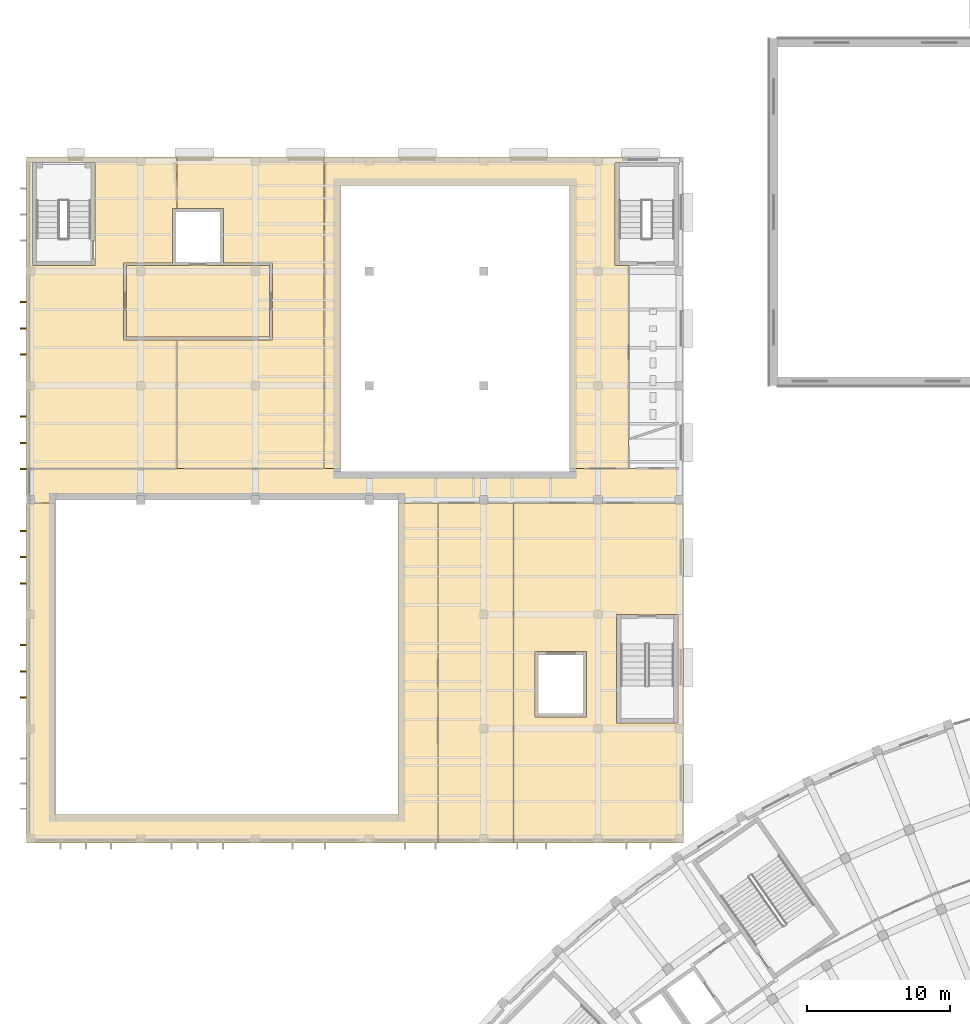
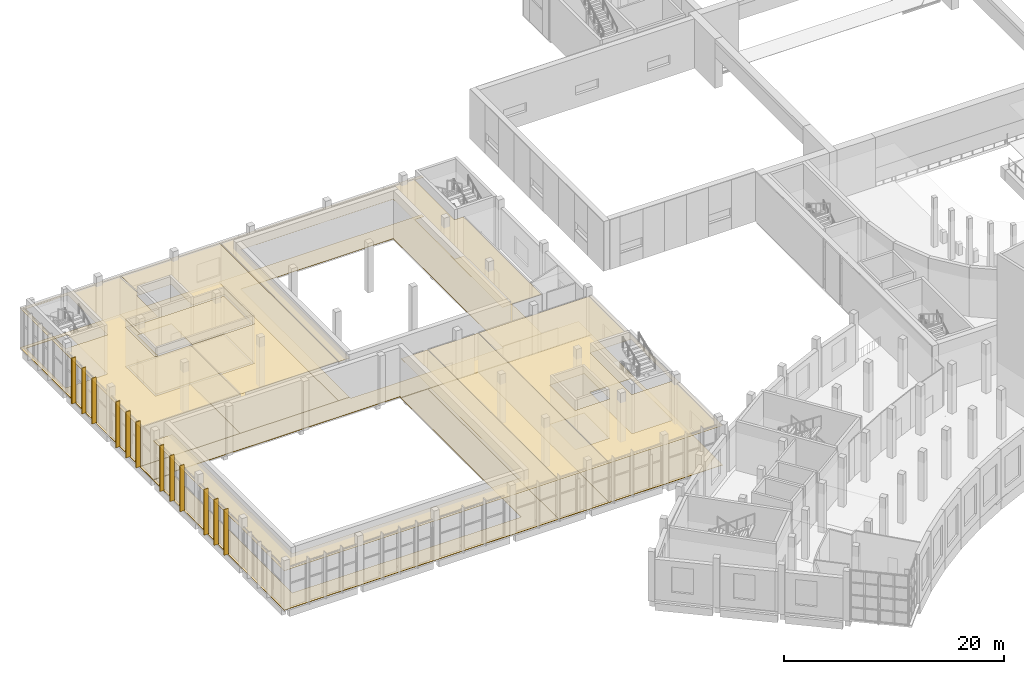
# One storey, part 62 of 87: 15 coverings, 12 shading devices.
"""IFC4 building model written with IfcOpenShell, lengths in metres."""

from ifc_helpers import new_model, si_unit, direction, frame, origin, origin_2d, place, context, subcontext, project, spatial, polyline, rectangle, outline, extrude, material, layer, layer_set, type_object, element, save


model = new_model("IFC4")

# Units and contexts
model_context = context("Model", 3, precision=1e-05, world=origin(), true_north=direction((0.0, 1.0)))
body_context = subcontext(model_context, "Body", "Model", "MODEL_VIEW")
ifc_project = project(units=[si_unit("LENGTHUNIT", "METRE"), si_unit("AREAUNIT", "SQUARE_METRE"), si_unit("VOLUMEUNIT", "CUBIC_METRE"), si_unit("PLANEANGLEUNIT", "RADIAN"), si_unit("MASSUNIT", "GRAM", prefix="KILO")], contexts=[model_context])

# Site, building, storey
site_placement = place(None, origin())
site = spatial("IfcSite", under=ifc_project, at=site_placement, CompositionType="ELEMENT")
building_placement = place(site_placement, origin())
building = spatial("IfcBuilding", under=site, at=building_placement, Name="Lunette Opera House", CompositionType="ELEMENT")
storey_placement = place(building_placement, frame((0.0, 0.0, 11.5)))
storey = spatial("IfcBuildingStorey", under=building, at=storey_placement, Name="L02", CompositionType="ELEMENT", Elevation=11.5)

# Covering
ifc_material_1 = material(Name="Cement screed")
ifc_layer_1 = layer(ifc_material_1, 0.070068359375)
ifc_layer_set_1 = layer_set([ifc_layer_1], Name="Cement screed")
covering_type_1 = type_object("IfcCoveringType", Name="SCREED FLOOR FINISH 70", PredefinedType="FLOORING", material=ifc_layer_set_1)
covering_1_placement = place(storey_placement, origin())
element("IfcCovering", 1, at=covering_1_placement, inside=storey, type_object=covering_type_1, Name="Floor finish Corridor L02 Rehearsal", PredefinedType="FLOORING", context=body_context, shape_type="SweptSolid", body=[
    extrude(outline(polyline([(8.0, 90.199951171875), (30.0, 90.199951171875), (30.0, 90.0), (46.0, 90.0), (46.0, 90.199951171875), (54.0, 90.199951171875), (54.0, 87.800048828125), (34.0, 87.800048828125), (34.0, 88.0), (10.0, 88.0), (10.0, 87.800048828125), (8.0, 87.800048828125), (8.0, 90.199951171875)])), origin(), (0.0, 0.0, 1.0), 0.070068359375),
])

# Shading devices
ifc_material_2 = material(Name="Powder-coated aluminium", Category="aluminium")
shading_device_type = type_object("IfcShadingDeviceType", Name="SOLAR FIN 100 X 450", PredefinedType="USERDEFINED", material=ifc_material_2)
for number, where, z_axis, x_axis, name in (
    (2, (7.76708984375, 101.85498046875, 0.115478515625), (0.0, 0.0, 1.0), (-1.0, 0.0, 0.0), "Solar fin RW-X2030 1"),
    (3, (7.76708984375, 100.012939453125, 0.115478515625), (0.0, 0.0, 1.0), (-1.0, 0.0, 0.0), "Solar fin RW-X2030 2"),
    (4, (7.76708984375, 98.1708984375, 0.115478515625), (0.0, 0.0, 1.0), (-1.0, 0.0, 0.0), "Solar fin RW-X2030 3"),
    (5, (7.76708984375, 93.8349609375, 0.115478515625), (0.0, 0.0, 1.0), (-1.0, 0.0, 0.0), "Solar fin RW-X2031 1"),
    (6, (7.76708984375, 92.0, 0.115478515625), (0.0, 0.0, 1.0), (-1.0, 0.0, 0.0), "Solar fin RW-X2031 2"),
    (7, (7.76708984375, 90.1650390625, 0.115478515625), (0.0, 0.0, 1.0), (-1.0, 0.0, 0.0), "Solar fin RW-X2031 3"),
    (8, (7.76708984375, 85.8349609375, 0.115478515625), (0.0, 0.0, 1.0), (-1.0, 0.0, 0.0), "Solar fin RW-X2032 1"),
    (9, (7.76708984375, 84.0, 0.115478515625), (0.0, 0.0, 1.0), (-1.0, 0.0, 0.0), "Solar fin RW-X2032 2"),
    (10, (7.76708984375, 82.1650390625, 0.115478515625), (0.0, 0.0, 1.0), (-1.0, 0.0, 0.0), "Solar fin RW-X2032 3"),
    (11, (7.76708984375, 77.8349609375, 0.115478515625), (0.0, 0.0, 1.0), (-1.0, 0.0, 0.0), "Solar fin RW-X2033 1"),
    (12, (7.76708984375, 76.0, 0.115478515625), (0.0, 0.0, 1.0), (-1.0, 0.0, 0.0), "Solar fin RW-X2033 2"),
    (13, (7.76708984375, 74.1650390625, 0.115478515625), (0.0, 0.0, 1.0), (-1.0, 0.0, 0.0), "Solar fin RW-X2033 3"),
):
    element("IfcShadingDevice", number, at=place(storey_placement, frame(where, z_axis=z_axis, x_axis=x_axis)), inside=storey, type_object=shading_device_type, Name=name, ObjectType="SOLAR FIN", PredefinedType="USERDEFINED", context=body_context, shape_type="SweptSolid", body=[
        extrude(rectangle(XDim=0.449951171875, YDim=0.10009765625, at=origin_2d()), origin(), (0.0, 0.0, 1.0), 5.0849609375),
    ])

# Coverings
ifc_material_3 = material(Name="Mineral fibre board")
ifc_layer_2 = layer(ifc_material_3, 0.014892578125)
ifc_layer_set_2 = layer_set([ifc_layer_2], Name="Mineral fibre board")
covering_type_2 = type_object("IfcCoveringType", Name="SUSPENDED ACOUSTIC CEILING 15", PredefinedType="CEILING", material=ifc_layer_set_2)
covering_2_placement = place(storey_placement, frame((0.0, 0.0, 4.385009765625)))
element("IfcCovering", 14, at=covering_2_placement, inside=storey, type_object=covering_type_2, Name="Ceiling Lift Lobby L02 Rehearsal", PredefinedType="CEILING", context=body_context, shape_type="SweptSolid", body=[
    extrude(outline(polyline([(25.0, 99.39990234375), (25.0, 104.39990234375), (15.0, 104.39990234375), (15.0, 99.39990234375), (25.0, 99.39990234375)])), origin(), (0.0, 0.0, 1.0), 0.014892578125),
])
covering_3_placement = place(storey_placement, frame((0.0, 0.0, 4.385009765625)))
element("IfcCovering", 15, at=covering_3_placement, inside=storey, type_object=covering_type_2, Name="Ceiling Orchestra Rehearsal Gallery", PredefinedType="CEILING", context=body_context, shape_type="SweptSolid", body=[
    extrude(outline(polyline([(8.0, 90.199951171875), (8.0, 112.0), (18.52392578125, 112.0), (18.52392578125, 108.39990234375), (18.199951171875, 108.39990234375), (18.199951171875, 104.60009765625), (14.800048828125, 104.60009765625), (14.800048828125, 99.199951171875), (18.52392578125, 99.199951171875), (18.52392578125, 90.199951171875), (8.0, 90.199951171875)]), holes=[polyline([(8.39990234375, 111.635009765625), (8.39990234375, 104.39990234375), (12.800048828125, 104.39990234375), (12.800048828125, 111.635009765625), (8.39990234375, 111.635009765625)])]), origin(), (0.0, 0.0, 1.0), 0.014892578125),
])
covering_4_placement = place(storey_placement, frame((0.0, 0.0, 4.385009765625)))
element("IfcCovering", 16, at=covering_4_placement, inside=storey, type_object=covering_type_2, Name="Ceiling Soloists' Studio", PredefinedType="CEILING", context=body_context, shape_type="SweptSolid", body=[
    extrude(outline(polyline([(18.52392578125, 90.199951171875), (18.52392578125, 99.199951171875), (25.199951171875, 99.199951171875), (25.199951171875, 104.60009765625), (21.800048828125, 104.60009765625), (21.800048828125, 108.39990234375), (18.52392578125, 108.39990234375), (18.52392578125, 112.0), (28.833984375, 112.0), (28.833984375, 90.199951171875), (18.52392578125, 90.199951171875)])), origin(), (0.0, 0.0, 1.0), 0.014892578125),
])
covering_5_placement = place(storey_placement, frame((0.0, 0.0, 4.385009765625)))
element("IfcCovering", 17, at=covering_5_placement, inside=storey, type_object=covering_type_2, Name="Ceiling Dance Wardrobe", PredefinedType="CEILING", context=body_context, shape_type="SweptSolid", body=[
    extrude(outline(polyline([(30.0, 90.199951171875), (28.833984375, 90.199951171875), (28.833984375, 112.0), (50.14892578125, 112.0), (50.14892578125, 111.635009765625), (49.199951171875, 111.635009765625), (49.199951171875, 104.39990234375), (50.14892578125, 104.39990234375), (50.14892578125, 90.199951171875), (46.0, 90.199951171875), (46.0, 110.0), (30.0, 110.0), (30.0, 90.199951171875)])), origin(), (0.0, 0.0, 1.0), 0.014892578125),
])
covering_6_placement = place(storey_placement, frame((0.0, 0.0, 4.385009765625)))
element("IfcCovering", 18, at=covering_6_placement, inside=storey, type_object=covering_type_2, Name="Ceiling Chorus Rehearsal Room 2", PredefinedType="CEILING", context=body_context, shape_type="SweptSolid", body=[
    extrude(outline(polyline([(8.0, 87.800048828125), (10.0, 87.800048828125), (10.0, 66.0), (34.0, 66.0), (34.0, 87.800048828125), (36.794921875, 87.800048828125), (36.794921875, 64.0), (8.0, 64.0), (8.0, 87.800048828125)])), origin(), (0.0, 0.0, 1.0), 0.014892578125),
])
covering_7_placement = place(storey_placement, frame((0.0, 0.0, 4.385009765625)))
element("IfcCovering", 19, at=covering_7_placement, inside=storey, type_object=covering_type_2, Name="Ceiling Repetiteur Rooms", PredefinedType="CEILING", context=body_context, shape_type="SweptSolid", body=[
    extrude(outline(polyline([(36.794921875, 64.0), (36.794921875, 87.800048828125), (42.093017578125, 87.800048828125), (42.093017578125, 64.0), (36.794921875, 64.0)])), origin(), (0.0, 0.0, 1.0), 0.014892578125),
])
covering_8_placement = place(storey_placement, frame((0.0, 0.0, 4.385009765625)))
element("IfcCovering", 20, at=covering_8_placement, inside=storey, type_object=covering_type_2, Name="Ceiling Administration Offices", PredefinedType="CEILING", context=body_context, shape_type="SweptSolid", body=[
    extrude(outline(polyline([(54.0, 64.0), (42.093017578125, 64.0), (42.093017578125, 87.800048828125), (54.0, 87.800048828125), (54.0, 64.0)]), holes=[polyline([(53.60009765625, 72.39990234375), (53.60009765625, 80.0), (49.300048828125, 80.0), (49.300048828125, 72.39990234375), (53.60009765625, 72.39990234375)]), polyline([(47.199951171875, 72.800048828125), (47.199951171875, 77.39990234375), (43.60009765625, 77.39990234375), (43.60009765625, 72.800048828125), (47.199951171875, 72.800048828125)])]), origin(), (0.0, 0.0, 1.0), 0.014892578125),
])
ifc_material_4 = material(Name="Terrazzo")
ifc_layer_3 = layer(ifc_material_4, 0.06005859375)
ifc_layer_set_3 = layer_set([ifc_layer_3], Name="Terrazzo")
covering_type_3 = type_object("IfcCoveringType", Name="TERRAZZO FLOOR FINISH 60", PredefinedType="FLOORING", material=ifc_layer_set_3)
covering_9_placement = place(storey_placement, origin())
element("IfcCovering", 21, at=covering_9_placement, inside=storey, type_object=covering_type_3, Name="Floor finish Lift Lobby L02 Rehearsal", PredefinedType="FLOORING", context=body_context, shape_type="SweptSolid", body=[
    extrude(outline(polyline([(25.0, 99.39990234375), (25.0, 104.39990234375), (15.0, 104.39990234375), (15.0, 99.39990234375), (25.0, 99.39990234375)])), origin(), (0.0, 0.0, 1.0), 0.06005859375),
])
ifc_material_5 = material(Name="Timber", Category="wood")
ifc_layer_4 = layer(ifc_material_5, 0.0400390625)
ifc_layer_set_4 = layer_set([ifc_layer_4], Name="Timber")
covering_type_4 = type_object("IfcCoveringType", Name="TIMBER FLOOR FINISH 40", PredefinedType="FLOORING", material=ifc_layer_set_4)
covering_10_placement = place(storey_placement, origin())
element("IfcCovering", 22, at=covering_10_placement, inside=storey, type_object=covering_type_4, Name="Floor finish Orchestra Rehearsal Gallery", PredefinedType="FLOORING", context=body_context, shape_type="SweptSolid", body=[
    extrude(outline(polyline([(8.0, 90.199951171875), (8.0, 112.0), (18.52392578125, 112.0), (18.52392578125, 108.39990234375), (18.199951171875, 108.39990234375), (18.199951171875, 104.60009765625), (14.800048828125, 104.60009765625), (14.800048828125, 99.199951171875), (18.52392578125, 99.199951171875), (18.52392578125, 90.199951171875), (8.0, 90.199951171875)]), holes=[polyline([(8.39990234375, 111.635009765625), (8.39990234375, 104.39990234375), (12.800048828125, 104.39990234375), (12.800048828125, 111.635009765625), (8.39990234375, 111.635009765625)])]), origin(), (0.0, 0.0, 1.0), 0.0400390625),
])
covering_11_placement = place(storey_placement, origin())
element("IfcCovering", 23, at=covering_11_placement, inside=storey, type_object=covering_type_4, Name="Floor finish Soloists' Studio", PredefinedType="FLOORING", context=body_context, shape_type="SweptSolid", body=[
    extrude(outline(polyline([(18.52392578125, 90.199951171875), (18.52392578125, 99.199951171875), (25.199951171875, 99.199951171875), (25.199951171875, 104.60009765625), (21.800048828125, 104.60009765625), (21.800048828125, 108.39990234375), (18.52392578125, 108.39990234375), (18.52392578125, 112.0), (28.833984375, 112.0), (28.833984375, 90.199951171875), (18.52392578125, 90.199951171875)])), origin(), (0.0, 0.0, 1.0), 0.0400390625),
])
covering_12_placement = place(storey_placement, origin())
element("IfcCovering", 24, at=covering_12_placement, inside=storey, type_object=covering_type_4, Name="Floor finish Dance Wardrobe", PredefinedType="FLOORING", context=body_context, shape_type="SweptSolid", body=[
    extrude(outline(polyline([(30.0, 90.199951171875), (28.833984375, 90.199951171875), (28.833984375, 112.0), (50.14892578125, 112.0), (50.14892578125, 111.635009765625), (49.199951171875, 111.635009765625), (49.199951171875, 104.39990234375), (50.14892578125, 104.39990234375), (50.14892578125, 90.199951171875), (46.0, 90.199951171875), (46.0, 110.0), (30.0, 110.0), (30.0, 90.199951171875)])), origin(), (0.0, 0.0, 1.0), 0.0400390625),
])
covering_13_placement = place(storey_placement, origin())
element("IfcCovering", 25, at=covering_13_placement, inside=storey, type_object=covering_type_4, Name="Floor finish Chorus Rehearsal Room 2", PredefinedType="FLOORING", context=body_context, shape_type="SweptSolid", body=[
    extrude(outline(polyline([(8.0, 87.800048828125), (10.0, 87.800048828125), (10.0, 66.0), (34.0, 66.0), (34.0, 87.800048828125), (36.794921875, 87.800048828125), (36.794921875, 64.0), (8.0, 64.0), (8.0, 87.800048828125)])), origin(), (0.0, 0.0, 1.0), 0.0400390625),
])
covering_14_placement = place(storey_placement, origin())
element("IfcCovering", 26, at=covering_14_placement, inside=storey, type_object=covering_type_4, Name="Floor finish Repetiteur Rooms", PredefinedType="FLOORING", context=body_context, shape_type="SweptSolid", body=[
    extrude(outline(polyline([(36.794921875, 64.0), (36.794921875, 87.800048828125), (42.093017578125, 87.800048828125), (42.093017578125, 64.0), (36.794921875, 64.0)])), origin(), (0.0, 0.0, 1.0), 0.0400390625),
])
covering_15_placement = place(storey_placement, origin())
element("IfcCovering", 27, at=covering_15_placement, inside=storey, type_object=covering_type_4, Name="Floor finish Administration Offices", PredefinedType="FLOORING", context=body_context, shape_type="SweptSolid", body=[
    extrude(outline(polyline([(54.0, 64.0), (42.093017578125, 64.0), (42.093017578125, 87.800048828125), (54.0, 87.800048828125), (54.0, 64.0)]), holes=[polyline([(53.60009765625, 72.39990234375), (53.60009765625, 80.0), (49.300048828125, 80.0), (49.300048828125, 72.39990234375), (53.60009765625, 72.39990234375)]), polyline([(47.199951171875, 72.800048828125), (47.199951171875, 77.39990234375), (43.60009765625, 77.39990234375), (43.60009765625, 72.800048828125), (47.199951171875, 72.800048828125)])]), origin(), (0.0, 0.0, 1.0), 0.0400390625),
])

save(model, "model.ifc")
